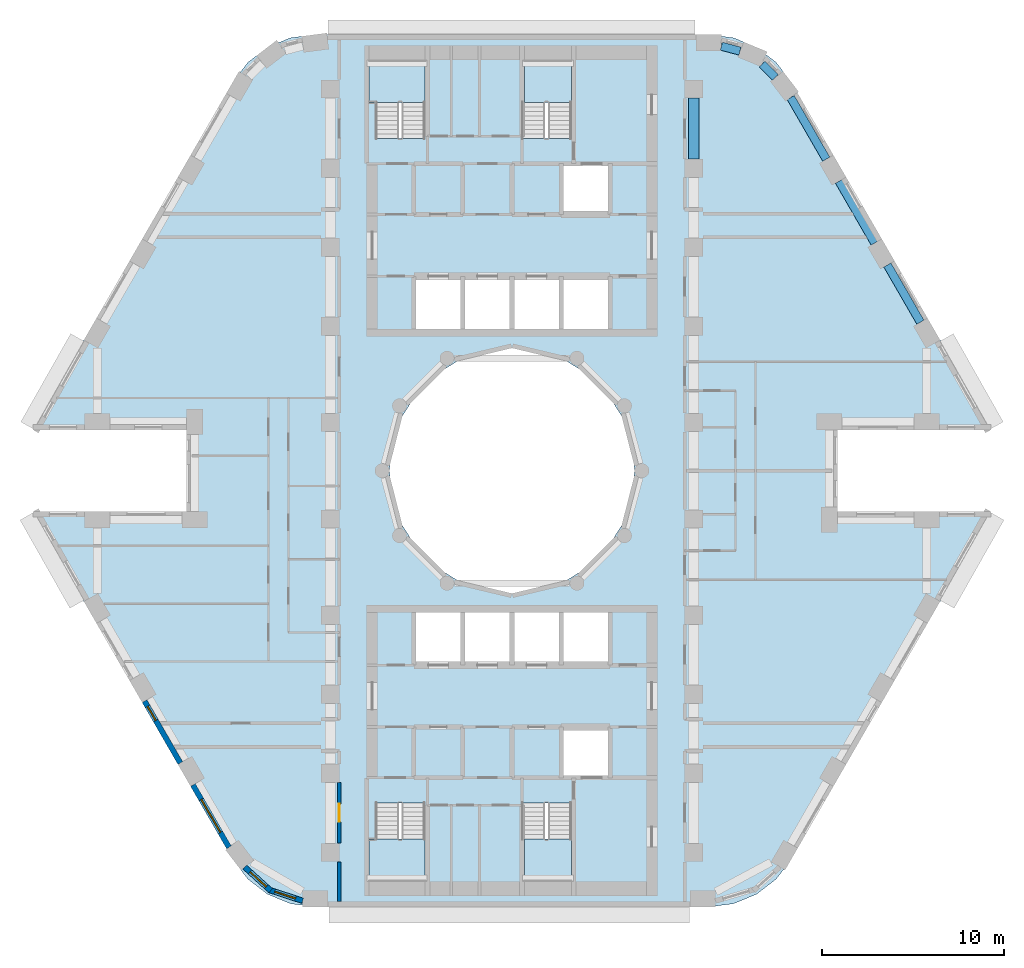
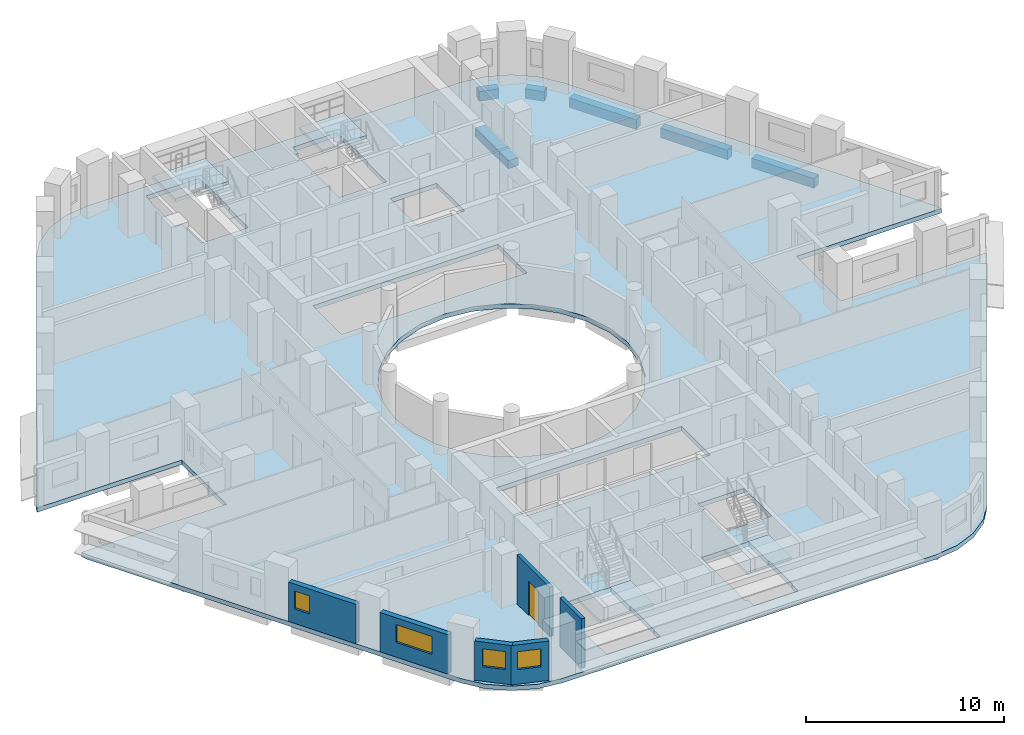
# One storey, part 2 of 12: 6 beams, 6 walls, 5 slabs, 4 windows, 1 door, 5 openings, 4 elements without a shape of their own.
"""IFC4 building model written with IfcOpenShell, lengths in metres."""

from ifc_helpers import new_model, si_unit, direction, frame, frame_2d, origin, origin_2d, place, context, subcontext, project, spatial, polyline, rectangle, outline, extrude, material, layer, layer_set, material_profile, profile_set, type_object, element, fill, aggregate, save


model = new_model("IFC4")

# Units and contexts
model_context = context("Model", 3, precision=1e-05, world=origin(), true_north=direction((0.0, 1.0)))
body_context = subcontext(model_context, "Body", "Model", "MODEL_VIEW")
ifc_project = project(units=[si_unit("LENGTHUNIT", "METRE"), si_unit("AREAUNIT", "SQUARE_METRE"), si_unit("VOLUMEUNIT", "CUBIC_METRE"), si_unit("PLANEANGLEUNIT", "RADIAN"), si_unit("MASSUNIT", "GRAM", prefix="KILO")], contexts=[model_context])

# Site, building, storey
site_placement = place(None, origin())
site = spatial("IfcSite", under=ifc_project, at=site_placement, CompositionType="ELEMENT")
building_placement = place(site_placement, origin())
building = spatial("IfcBuilding", under=site, at=building_placement, Name="Nakaniwa Court", CompositionType="ELEMENT")
storey_placement = place(building_placement, frame((0.0, 0.0, 90.89990234375)))
storey = spatial("IfcBuildingStorey", under=building, at=storey_placement, Name="L23", CompositionType="ELEMENT", Elevation=90.89990234375)

# Beams
ifc_material_1 = material(Name="Concrete C80/100", Category="concrete")
ifc_material_profile_1 = material_profile(ifc_material_1, rectangle(XDim=0.449951171875, YDim=0.60009765625, at=origin_2d()), Name="Concrete C80/100 RC 450x600 spandrel beam")
ifc_profile_set_1 = profile_set([ifc_material_profile_1], Name="Concrete C80/100")
beam_type_1 = type_object("IfcBeamType", Name="Concrete C80/100 RC 450x600 spandrel beam", PredefinedType="BEAM", material=ifc_profile_set_1)
beam_1_placement = place(storey_placement, frame((102.472900390625, 88.17578125, -0.574951171875), z_axis=(-0.499988394233, 0.866032104273, 0.0), x_axis=(-0.866032104273, -0.499988394233, 0.0)))
element("IfcBeam", 1, at=beam_1_placement, inside=storey, type_object=beam_type_1, Name="SPANDREL BEAM", PredefinedType="BEAM", context=body_context, shape_type="SweptSolid", body=[
    extrude(rectangle(XDim=0.449951171875, YDim=0.60009765625, at=origin_2d()), origin(), (0.0, 0.0, 1.0), 3.62890625),
])
beam_2_placement = place(storey_placement, frame((99.95849609375, 92.531005859375, -0.574951171875), z_axis=(-0.49999161165, 0.866030246746, 0.0), x_axis=(-0.866030246746, -0.49999161165, 0.0)))
element("IfcBeam", 2, at=beam_2_placement, inside=storey, type_object=beam_type_1, Name="SPANDREL BEAM", PredefinedType="BEAM", context=body_context, shape_type="SweptSolid", body=[
    extrude(rectangle(XDim=0.449951171875, YDim=0.60009765625, at=origin_2d()), origin(), (0.0, 0.0, 1.0), 3.92578125),
])
beam_3_placement = place(storey_placement, frame((97.29541015625, 97.143310546875, -0.574951171875), z_axis=(-0.499997407846, 0.86602690036, 0.0), x_axis=(-0.86602690036, -0.499997407846, 0.0)))
element("IfcBeam", 3, at=beam_3_placement, inside=storey, type_object=beam_type_1, Name="SPANDREL BEAM", PredefinedType="BEAM", context=body_context, shape_type="SweptSolid", body=[
    extrude(rectangle(XDim=0.449951171875, YDim=0.60009765625, at=origin_2d()), origin(), (0.0, 0.0, 1.0), 3.919921875),
])
beam_4_placement = place(storey_placement, frame((94.484130859375, 101.6494140625, -0.574951171875), z_axis=(-0.705911336947, 0.7083002078, 0.0), x_axis=(-0.7083002078, -0.705911336947, 0.0)))
element("IfcBeam", 4, at=beam_4_placement, inside=storey, type_object=beam_type_1, Name="SPANDREL BEAM", PredefinedType="BEAM", context=body_context, shape_type="SweptSolid", body=[
    extrude(rectangle(XDim=0.449951171875, YDim=0.60009765625, at=origin_2d()), origin(), (0.0, 0.0, 1.0), 1.02197265625),
])
beam_5_placement = place(storey_placement, frame((92.544921875, 103.091796875, -0.574951171875), z_axis=(-0.966315487466, 0.257360406209, 0.0), x_axis=(-0.257360406209, -0.966315487466, 0.0)))
element("IfcBeam", 5, at=beam_5_placement, inside=storey, type_object=beam_type_1, Name="SPANDREL BEAM", PredefinedType="BEAM", context=body_context, shape_type="SweptSolid", body=[
    extrude(rectangle(XDim=0.449951171875, YDim=0.60009765625, at=origin_2d()), origin(), (0.0, 0.0, 1.0), 1.055908203125),
])
ifc_material_profile_2 = material_profile(ifc_material_1, rectangle(XDim=0.60009765625, YDim=0.5, at=origin_2d()), Name="Concrete C80/100 RC 600x500 ring beam")
ifc_profile_set_2 = profile_set([ifc_material_profile_2], Name="Concrete C80/100")
beam_type_2 = type_object("IfcBeamType", Name="Concrete C80/100 RC 600x500 ring beam", PredefinedType="BEAM", material=ifc_profile_set_2)
beam_6_placement = place(storey_placement, frame((90.0, 97.14990234375, -0.52490234375), z_axis=(0.0, 1.0, 0.0), x_axis=(-1.0, 0.0, 0.0)))
element("IfcBeam", 6, at=beam_6_placement, inside=storey, type_object=beam_type_2, Name="RING BEAM", PredefinedType="BEAM", context=body_context, shape_type="SweptSolid", body=[
    extrude(rectangle(XDim=0.60009765625, YDim=0.5, at=origin_2d()), origin(), (0.0, 0.0, 1.0), 3.35009765625),
])

# Slab
ifc_layer_1 = layer(ifc_material_1, 0.27490234375)
ifc_layer_set_1 = layer_set([ifc_layer_1], Name="Concrete C80/100")
slab_type_1 = type_object("IfcSlabType", Name="Concrete C80/100 post tensioned floor slab 275", PredefinedType="FLOOR", material=ifc_layer_set_1)
slab_1_placement = place(storey_placement, frame((0.0, 0.0, -0.27490234375)))
element("IfcSlab", 7, at=slab_1_placement, inside=storey, type_object=slab_type_1, Name="FLOOR SLAB", PredefinedType="FLOOR", context=body_context, shape_type="SweptSolid", body=[
    extrude(outline(polyline([(97.908447265625, 82.25), (106.356689453125, 82.25), (106.211669921875, 82.60009765625), (95.357421875, 101.39990234375), (94.531005859375, 102.47705078125), (93.4541015625, 103.30322265625), (92.199951171875, 103.82275390625), (90.854248046875, 104.0), (69.145751953125, 104.0), (67.800048828125, 103.82275390625), (66.5458984375, 103.30322265625), (65.468994140625, 102.47705078125), (64.642578125, 101.39990234375), (53.788330078125, 82.60009765625), (53.643310546875, 82.25), (62.091552734375, 82.25), (62.091552734375, 77.75), (53.643310546875, 77.75), (53.788330078125, 77.39990234375), (64.642578125, 58.60009765625), (65.468994140625, 57.52294921875), (66.5458984375, 56.69677734375), (67.800048828125, 56.17724609375), (69.145751953125, 56.0), (90.854248046875, 56.0), (92.199951171875, 56.17724609375), (93.4541015625, 56.69677734375), (94.531005859375, 57.52294921875), (95.357421875, 58.60009765625), (106.211669921875, 77.39990234375), (106.356689453125, 77.75), (97.908447265625, 77.75), (97.908447265625, 82.25)]), holes=[polyline([(81.501953125, 86.580810546875), (80.0, 86.75), (78.498046875, 86.580810546875), (77.0712890625, 86.08154296875), (75.79150390625, 85.27734375), (74.72265625, 84.20849609375), (73.91845703125, 82.9287109375), (73.419189453125, 81.501953125), (73.25, 80.0), (73.419189453125, 78.498046875), (73.91845703125, 77.0712890625), (74.72265625, 75.79150390625), (75.79150390625, 74.72265625), (77.0712890625, 73.91845703125), (78.498046875, 73.419189453125), (80.0, 73.25), (81.501953125, 73.419189453125), (82.9287109375, 73.91845703125), (84.20849609375, 74.72265625), (85.27734375, 75.79150390625), (86.08154296875, 77.0712890625), (86.580810546875, 78.498046875), (86.75, 80.0), (86.580810546875, 81.501953125), (86.08154296875, 82.9287109375), (85.27734375, 84.20849609375), (84.20849609375, 85.27734375), (82.9287109375, 86.08154296875), (81.501953125, 86.580810546875)]), polyline([(75.264892578125, 57.360107421875), (75.264892578125, 59.764892578125), (75.22509765625, 59.764892578125), (75.22509765625, 61.7099609375), (72.47509765625, 61.7099609375), (72.47509765625, 59.764892578125), (72.0849609375, 59.764892578125), (72.0849609375, 57.360107421875), (72.125, 57.360107421875), (72.125, 56.72509765625), (75.22509765625, 56.72509765625), (75.22509765625, 57.324951171875), (75.22509765625, 57.360107421875), (75.264892578125, 57.360107421875)]), polyline([(80.0, 69.300048828125), (82.699951171875, 69.300048828125), (85.39990234375, 69.300048828125), (85.39990234375, 72.199951171875), (82.699951171875, 72.199951171875), (80.0, 72.199951171875), (77.300048828125, 72.199951171875), (74.60009765625, 72.199951171875), (74.60009765625, 69.300048828125), (77.300048828125, 69.300048828125), (80.0, 69.300048828125)]), polyline([(80.0, 87.800048828125), (82.699951171875, 87.800048828125), (85.39990234375, 87.800048828125), (85.39990234375, 90.699951171875), (82.699951171875, 90.699951171875), (80.0, 90.699951171875), (77.300048828125, 90.699951171875), (74.60009765625, 90.699951171875), (74.60009765625, 87.800048828125), (77.300048828125, 87.800048828125), (80.0, 87.800048828125)]), polyline([(75.264892578125, 100.235107421875), (75.264892578125, 102.639892578125), (75.22509765625, 102.639892578125), (75.22509765625, 102.675048828125), (75.22509765625, 103.27490234375), (72.125, 103.27490234375), (72.125, 102.639892578125), (72.0849609375, 102.639892578125), (72.0849609375, 100.235107421875), (72.47509765625, 100.235107421875), (72.47509765625, 98.2900390625), (75.22509765625, 98.2900390625), (75.22509765625, 100.235107421875), (75.264892578125, 100.235107421875)]), polyline([(83.27490234375, 61.7099609375), (80.52490234375, 61.7099609375), (80.52490234375, 57.324951171875), (80.675048828125, 57.324951171875), (80.675048828125, 56.72509765625), (83.27490234375, 56.72509765625), (83.27490234375, 57.324951171875), (83.27490234375, 57.360107421875), (83.31494140625, 57.360107421875), (83.31494140625, 59.764892578125), (83.27490234375, 59.764892578125), (83.27490234375, 61.7099609375)]), polyline([(85.39990234375, 65.89990234375), (82.699951171875, 65.89990234375), (82.699951171875, 63.10009765625), (85.39990234375, 63.10009765625), (85.39990234375, 65.89990234375)]), polyline([(85.39990234375, 96.89990234375), (82.699951171875, 96.89990234375), (82.699951171875, 94.10009765625), (85.39990234375, 94.10009765625), (85.39990234375, 96.89990234375)]), polyline([(83.27490234375, 100.235107421875), (83.31494140625, 100.235107421875), (83.31494140625, 102.639892578125), (83.27490234375, 102.639892578125), (83.27490234375, 102.675048828125), (83.27490234375, 103.27490234375), (80.675048828125, 103.27490234375), (80.675048828125, 102.675048828125), (80.52490234375, 102.675048828125), (80.52490234375, 98.2900390625), (83.27490234375, 98.2900390625), (83.27490234375, 100.235107421875)])]), origin(), (0.0, 0.0, 1.0), 0.27490234375),
])

# Stair, slab
stair_type = type_object("IfcStairType", Name="Dog leg stair 1300 wide 18 risers", PredefinedType="HALF_TURN_STAIR", material=ifc_material_1)
stair_1_placement = place(storey_placement, origin())
stair_1 = element("IfcStair", 8, at=stair_1_placement, inside=storey, type_object=stair_type, Name="L23 Stair ST1", PredefinedType="HALF_TURN_STAIR")
ifc_layer_2 = layer(ifc_material_1, 0.199951171875)
ifc_layer_set_2 = layer_set([ifc_layer_2], Name="Concrete C80/100")
slab_type_2 = type_object("IfcSlabType", Name="Stair landing concrete", PredefinedType="LANDING", material=ifc_layer_set_2)
slab_2_placement = place(storey_placement, frame((0.0, 0.0, 1.4501953125)))
slab_2 = element("IfcSlab", 9, at=slab_2_placement, type_object=slab_type_2, Name="ST1 landing 1", PredefinedType="LANDING", context=body_context, shape_type="SweptSolid", body=[
    extrude(outline(polyline([(75.22509765625, 100.27490234375), (75.22509765625, 102.60009765625), (72.125, 102.60009765625), (72.125, 100.27490234375), (75.22509765625, 100.27490234375)])), origin(), (0.0, 0.0, 1.0), 0.199951171875),
])
aggregate(stair_1, [slab_2])

stair_2_placement = place(storey_placement, origin())
stair_2 = element("IfcStair", 10, at=stair_2_placement, inside=storey, type_object=stair_type, Name="L23 Stair ST2", PredefinedType="HALF_TURN_STAIR")
slab_3_placement = place(storey_placement, frame((0.0, 0.0, 1.4501953125)))
slab_3 = element("IfcSlab", 11, at=slab_3_placement, type_object=slab_type_2, Name="ST2 landing 1", PredefinedType="LANDING", context=body_context, shape_type="SweptSolid", body=[
    extrude(outline(polyline([(83.27490234375, 100.27490234375), (83.27490234375, 102.60009765625), (80.675048828125, 102.60009765625), (80.675048828125, 100.27490234375), (83.27490234375, 100.27490234375)])), origin(), (0.0, 0.0, 1.0), 0.199951171875),
])
aggregate(stair_2, [slab_3])

stair_3_placement = place(storey_placement, origin())
stair_3 = element("IfcStair", 12, at=stair_3_placement, inside=storey, type_object=stair_type, Name="L23 Stair ST3", PredefinedType="HALF_TURN_STAIR")
slab_4_placement = place(storey_placement, frame((0.0, 0.0, 1.4501953125)))
slab_4 = element("IfcSlab", 13, at=slab_4_placement, type_object=slab_type_2, Name="ST3 landing 1", PredefinedType="LANDING", context=body_context, shape_type="SweptSolid", body=[
    extrude(outline(polyline([(75.22509765625, 57.39990234375), (75.22509765625, 59.72509765625), (72.125, 59.72509765625), (72.125, 57.39990234375), (75.22509765625, 57.39990234375)])), origin(), (0.0, 0.0, 1.0), 0.199951171875),
])
aggregate(stair_3, [slab_4])

stair_4_placement = place(storey_placement, origin())
stair_4 = element("IfcStair", 14, at=stair_4_placement, inside=storey, type_object=stair_type, Name="L23 Stair ST4", PredefinedType="HALF_TURN_STAIR")
slab_5_placement = place(storey_placement, frame((0.0, 0.0, 1.4501953125)))
slab_5 = element("IfcSlab", 15, at=slab_5_placement, type_object=slab_type_2, Name="ST4 landing 1", PredefinedType="LANDING", context=body_context, shape_type="SweptSolid", body=[
    extrude(outline(polyline([(83.27490234375, 57.39990234375), (83.27490234375, 59.72509765625), (80.675048828125, 59.72509765625), (80.675048828125, 57.39990234375), (83.27490234375, 57.39990234375)])), origin(), (0.0, 0.0, 1.0), 0.199951171875),
])
aggregate(stair_4, [slab_5])

# Wall
ifc_material_2 = material(Name="Acoustic double stud partition")
ifc_layer_3 = layer(ifc_material_2, 0.199951171875)
ifc_layer_set_3 = layer_set([ifc_layer_3], Name="Acoustic double stud partition")
wall_type_1 = type_object("IfcWallType", Name="Acoustic double stud partition 200", PredefinedType="PARTITIONING", material=ifc_layer_set_3)
wall_1_placement = place(storey_placement, frame((70.5, 56.300048828125, 0.0), z_axis=(0.0, 0.0, 1.0), x_axis=(0.0, 1.0, 0.0)))
element("IfcWall", 16, at=wall_1_placement, inside=storey, type_object=wall_type_1, Name="Partition PW-095", PredefinedType="PARTITIONING", context=body_context, shape_type="SweptSolid", body=[
    extrude(rectangle(XDim=2.182861328125, YDim=0.199951171875, at=frame_2d((1.09130859375, 0.0))), origin(), (0.0, 0.0, 1.0), 3.025146484375),
])

# Wall, opening, door
wall_2_placement = place(storey_placement, frame((70.5, 59.51708984375, 0.0), z_axis=(0.0, 0.0, 1.0), x_axis=(0.0, 1.0, 0.0)))
wall_2 = element("IfcWall", 17, at=wall_2_placement, inside=storey, type_object=wall_type_1, Name="Partition PW-096", PredefinedType="PARTITIONING", context=body_context, shape_type="SweptSolid", body=[
    extrude(rectangle(XDim=3.31591796875, YDim=0.199951171875, at=frame_2d((1.657958984375, 0.0))), origin(), (0.0, 0.0, 1.0), 3.025146484375),
])
opening_1_placement = place(wall_2_placement, frame((1.157958984375, 0.0, 0.0)))
opening_1 = element("IfcOpeningElement", 18, at=opening_1_placement, cuts=wall_2, Name="Opening D-02-04", PredefinedType="OPENING", context=body_context, shape_type="SweptSolid", body=[
    extrude(rectangle(XDim=1.0, YDim=2.10009765625, at=frame_2d((0.5, 1.050048828125))), frame((0.0, 0.10986328125, 0.0), z_axis=(0.0, -1.0, 0.0), x_axis=(1.0, 0.0, 0.0)), (0.0, 0.0, 1.0), 0.219970703125),
])
ifc_material_3 = material(Name="Solid core timber door set, black veneer", Category="wood")
door_type = type_object("IfcDoorType", Name="Internal door 1000", OperationType="NOTDEFINED", PredefinedType="DOOR", material=ifc_material_3)
door_placement = place(opening_1_placement, origin())
door = element("IfcDoor", 19, at=door_placement, inside=storey, type_object=door_type, Name="Door D-02-04 L23-038", OperationType="SINGLE_SWING_LEFT", OverallHeight=2.10009765625, OverallWidth=1.0, PredefinedType="DOOR", context=body_context, shape_type="SweptSolid", body=[
    extrude(rectangle(XDim=1.0, YDim=2.10009765625, at=frame_2d((0.5, 1.050048828125))), frame((0.0, 0.02490234375, 0.0), z_axis=(0.0, -1.0, 0.0), x_axis=(1.0, 0.0, 0.0)), (0.0, 0.0, 1.0), 0.050048828125),
])
fill(opening_1, door)

# Wall, opening, window
ifc_material_4 = material(Name="Charcoal ceramic cladding")
ifc_layer_4 = layer(ifc_material_4, 0.02, Name="Ceramic cladding")
ifc_material_5 = material(Name="Ventilated air cavity")
ifc_layer_5 = layer(ifc_material_5, 0.04, ventilated=True, Name="Ventilated cavity")
ifc_material_6 = material(Name="Mineral wool insulation")
ifc_layer_6 = layer(ifc_material_6, 0.1, Name="Insulation")
ifc_material_7 = material(Name="Cement bonded sheathing board")
ifc_layer_7 = layer(ifc_material_7, 0.012, Name="Sheathing")
ifc_material_8 = material(Name="Cold-formed galvanised stud frame with mineral wool infill")
ifc_layer_8 = layer(ifc_material_8, 0.1, Name="Stud frame")
ifc_material_9 = material(Name="Fire-rated gypsum plasterboard lining")
ifc_layer_9 = layer(ifc_material_9, 0.028, Name="Lining")
ifc_layer_set_4 = layer_set([ifc_layer_4, ifc_layer_5, ifc_layer_6, ifc_layer_7, ifc_layer_8, ifc_layer_9], Name="Charcoal ceramic faced external wall system")
wall_type_2 = type_object("IfcWallType", Name="Black ceramic faced external wall 300", PredefinedType="SOLIDWALL", material=ifc_layer_set_4)
wall_3_placement = place(storey_placement, frame((59.77978515625, 67.322509765625, 0.0), z_axis=(0.0, 0.0, 1.0), x_axis=(0.499957037901, -0.866050206543, 0.0)))
wall_3 = element("IfcWall", 20, at=wall_3_placement, inside=storey, type_object=wall_type_2, Name="L23 external wall 22", PredefinedType="SOLIDWALL", context=body_context, shape_type="SweptSolid", body=[
    extrude(rectangle(XDim=3.933837890625, YDim=0.300048828125, at=frame_2d((1.966796875, 0.0))), origin(), (0.0, 0.0, 1.0), 2.425048828125),
])
opening_2_placement = place(wall_3_placement, frame((0.329833984375, 0.0, 0.89990234375)))
opening_2 = element("IfcOpeningElement", 21, at=opening_2_placement, cuts=wall_3, Name="Opening W9.27", PredefinedType="OPENING", context=body_context, shape_type="SweptSolid", body=[
    extrude(rectangle(XDim=0.89990234375, YDim=1.10009765625, at=frame_2d((0.449951171875, 0.550048828125))), frame((0.0, 0.159912109375, 0.0), z_axis=(0.0, -1.0, 0.0), x_axis=(1.0, 0.0, 0.0)), (0.0, 0.0, 1.0), 0.320068359375),
])
ifc_material_10 = material(Name="Black anodised aluminium frame with dark low-E laminated double glazing", Category="aluminium")
window_type_1 = type_object("IfcWindowType", Name="Dark glass window 900x1100 sill 900", PartitioningType="SINGLE_PANEL", PredefinedType="WINDOW", material=ifc_material_10)
window_1_placement = place(opening_2_placement, origin())
window_1 = element("IfcWindow", 22, at=window_1_placement, inside=storey, type_object=window_type_1, Name="L23 habitable room window 22-0", OverallHeight=1.10009765625, OverallWidth=0.89990234375, PartitioningType="SINGLE_PANEL", PredefinedType="WINDOW", context=body_context, shape_type="SweptSolid", body=[
    extrude(rectangle(XDim=0.89990234375, YDim=1.10009765625, at=frame_2d((0.449951171875, 0.550048828125))), frame((0.0, 0.030029296875, 0.0), z_axis=(0.0, -1.0, 0.0), x_axis=(1.0, 0.0, 0.0)), (0.0, 0.0, 1.0), 0.06005859375),
])
fill(opening_2, window_1)

wall_4_placement = place(storey_placement, frame((62.442626953125, 62.710205078125, 0.0), z_axis=(0.0, 0.0, 1.0), x_axis=(0.500043828347, -0.866000097998, 0.0)))
wall_4 = element("IfcWall", 23, at=wall_4_placement, inside=storey, type_object=wall_type_2, Name="L23 external wall 23", PredefinedType="SOLIDWALL", context=body_context, shape_type="SweptSolid", body=[
    extrude(rectangle(XDim=3.967529296875, YDim=0.300048828125, at=frame_2d((1.98388671875, 0.0))), origin(), (0.0, 0.0, 1.0), 2.425048828125),
])
opening_3_placement = place(wall_4_placement, frame((0.92236328125, 0.0, 0.89990234375)))
opening_3 = element("IfcOpeningElement", 24, at=opening_3_placement, cuts=wall_4, Name="Opening W7.28", PredefinedType="OPENING", context=body_context, shape_type="SweptSolid", body=[
    extrude(rectangle(XDim=2.10009765625, YDim=1.10009765625, at=frame_2d((1.050048828125, 0.550048828125))), frame((0.0, 0.159912109375, 0.0), z_axis=(0.0, -1.0, 0.0), x_axis=(1.0, 0.0, 0.0)), (0.0, 0.0, 1.0), 0.320068359375),
])
window_type_2 = type_object("IfcWindowType", Name="Dark glass window 2100x1100 sill 900", PartitioningType="SINGLE_PANEL", PredefinedType="WINDOW", material=ifc_material_10)
window_2_placement = place(opening_3_placement, origin())
window_2 = element("IfcWindow", 25, at=window_2_placement, inside=storey, type_object=window_type_2, Name="L23 habitable room window 23-0", OverallHeight=1.10009765625, OverallWidth=2.10009765625, PartitioningType="SINGLE_PANEL", PredefinedType="WINDOW", context=body_context, shape_type="SweptSolid", body=[
    extrude(rectangle(XDim=2.10009765625, YDim=1.10009765625, at=frame_2d((1.050048828125, 0.550048828125))), frame((0.0, 0.030029296875, 0.0), z_axis=(0.0, -1.0, 0.0), x_axis=(1.0, 0.0, 0.0)), (0.0, 0.0, 1.0), 0.06005859375),
])
fill(opening_3, window_2)

wall_5_placement = place(storey_placement, frame((65.294921875, 58.18603515625, 0.0), z_axis=(0.0, 0.0, 1.0), x_axis=(0.740421367382, -0.672142989791, 0.0)))
wall_5 = element("IfcWall", 26, at=wall_5_placement, inside=storey, type_object=wall_type_2, Name="L23 external wall 24", PredefinedType="SOLIDWALL", context=body_context, shape_type="SweptSolid", body=[
    extrude(rectangle(XDim=1.92724609375, YDim=0.300048828125, at=frame_2d((0.963623046875, 0.0))), origin(), (0.0, 0.0, 1.0), 2.425048828125),
])
opening_4_placement = place(wall_5_placement, frame((0.39111328125, 0.0, 0.89990234375)))
opening_4 = element("IfcOpeningElement", 27, at=opening_4_placement, cuts=wall_5, Name="Opening W6.29", PredefinedType="OPENING", context=body_context, shape_type="SweptSolid", body=[
    extrude(rectangle(XDim=1.199951171875, YDim=1.10009765625, at=frame_2d((0.60009765625, 0.550048828125))), frame((0.0, 0.159912109375, 0.0), z_axis=(0.0, -1.0, 0.0), x_axis=(1.0, 0.0, 0.0)), (0.0, 0.0, 1.0), 0.320068359375),
])
window_type_3 = type_object("IfcWindowType", Name="Dark glass window 1200x1100 sill 900", PartitioningType="SINGLE_PANEL", PredefinedType="WINDOW", material=ifc_material_10)
window_3_placement = place(opening_4_placement, origin())
window_3 = element("IfcWindow", 28, at=window_3_placement, inside=storey, type_object=window_type_3, Name="L23 habitable room window 24-0", OverallHeight=1.10009765625, OverallWidth=1.199951171875, PartitioningType="SINGLE_PANEL", PredefinedType="WINDOW", context=body_context, shape_type="SweptSolid", body=[
    extrude(rectangle(XDim=1.199951171875, YDim=1.10009765625, at=frame_2d((0.60009765625, 0.550048828125))), frame((0.0, 0.030029296875, 0.0), z_axis=(0.0, -1.0, 0.0), x_axis=(1.0, 0.0, 0.0)), (0.0, 0.0, 1.0), 0.06005859375),
])
fill(opening_4, window_3)

wall_6_placement = place(storey_placement, frame((66.625, 56.939453125, 0.0), z_axis=(0.0, 0.0, 1.0), x_axis=(0.950777961763, -0.309872985958, 0.0)))
wall_6 = element("IfcWall", 29, at=wall_6_placement, inside=storey, type_object=wall_type_2, Name="L23 external wall 25", PredefinedType="SOLIDWALL", context=body_context, shape_type="SweptSolid", body=[
    extrude(rectangle(XDim=1.949951171875, YDim=0.300048828125, at=frame_2d((0.97509765625, 0.0))), origin(), (0.0, 0.0, 1.0), 2.425048828125),
])
opening_5_placement = place(wall_6_placement, frame((0.334716796875, 0.0, 0.89990234375)))
opening_5 = element("IfcOpeningElement", 30, at=opening_5_placement, cuts=wall_6, Name="Opening W6.30", PredefinedType="OPENING", context=body_context, shape_type="SweptSolid", body=[
    extrude(rectangle(XDim=1.199951171875, YDim=1.10009765625, at=frame_2d((0.60009765625, 0.550048828125))), frame((0.0, 0.159912109375, 0.0), z_axis=(0.0, -1.0, 0.0), x_axis=(1.0, 0.0, 0.0)), (0.0, 0.0, 1.0), 0.320068359375),
])
window_4_placement = place(opening_5_placement, origin())
window_4 = element("IfcWindow", 31, at=window_4_placement, inside=storey, type_object=window_type_3, Name="L23 habitable room window 25-0", OverallHeight=1.10009765625, OverallWidth=1.199951171875, PartitioningType="SINGLE_PANEL", PredefinedType="WINDOW", context=body_context, shape_type="SweptSolid", body=[
    extrude(rectangle(XDim=1.199951171875, YDim=1.10009765625, at=frame_2d((0.60009765625, 0.550048828125))), frame((0.0, 0.030029296875, 0.0), z_axis=(0.0, -1.0, 0.0), x_axis=(1.0, 0.0, 0.0)), (0.0, 0.0, 1.0), 0.06005859375),
])
fill(opening_5, window_4)

save(model, "model.ifc")
